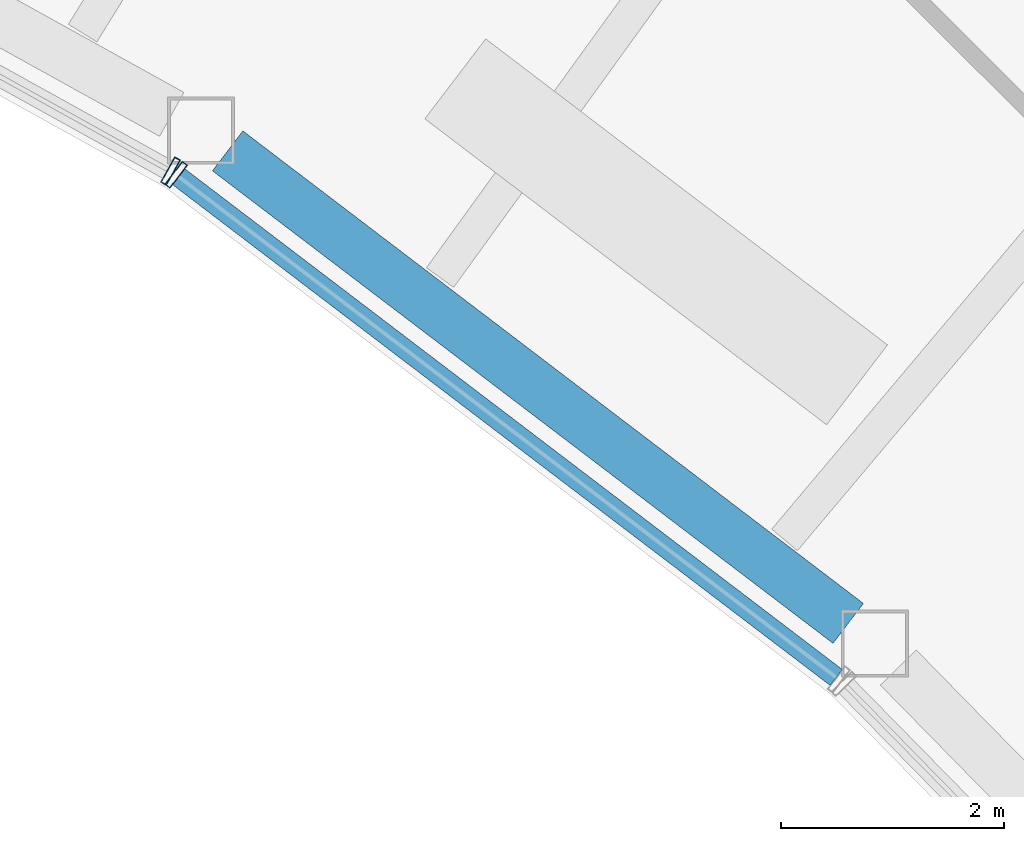
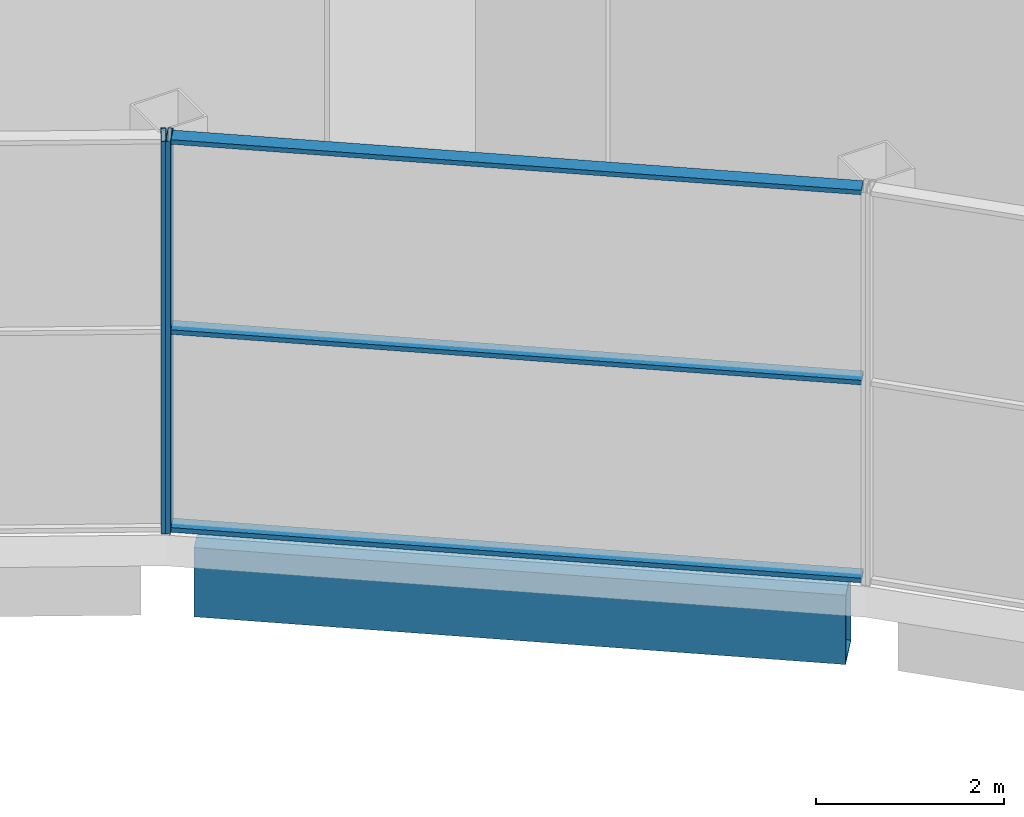
# One storey, part 19 of 43: 5 members, 1 beam, 2 elements without a shape of their own.
"""IFC4 building model written with IfcOpenShell, lengths in metres."""

import ifcopenshell
import ifcopenshell.guid

model = None  # the IFC model being written
_history = None  # IfcOwnerHistory: only IFC2X3 demands one
_inside = {}  # id of a spatial element -> (the spatial element, [elements in it])
_under = {}  # id of a project, library or spatial element -> (it, [spatial elements below it])
_declared = {}  # id of a project -> (the project, [libraries it declares])
_typed = {}  # id of a type object -> (the type object, [elements of that type])
_made_of = {}  # id of a material, layer set ... -> (it, [elements and type objects made of it])


def new_model(schema):
    """Start an empty IFC model of exactly this schema.

    Asked for "IFC4X3", IfcOpenShell would pick the latest addendum, in which some entities
    have other attributes; the version numbers below select the first issue.
    IFC2X3 requires an IfcOwnerHistory on every rooted entity: one is made here for all.
    """
    global model, _history
    if schema == "IFC4X3":
        model = ifcopenshell.file(schema_version=(4, 3, 0, 0))
    else:
        model = ifcopenshell.file(schema=schema)
    _inside.clear()
    _under.clear()
    _declared.clear()
    _typed.clear()
    _made_of.clear()
    _history = None
    if model.schema == "IFC2X3":
        org = make("IfcOrganization", Name="unknown")
        user = make(
            "IfcPersonAndOrganization",
            ThePerson=make("IfcPerson", FamilyName="unknown"),
            TheOrganization=org,
        )
        app = make(
            "IfcApplication",
            ApplicationDeveloper=org,
            Version="unknown",
            ApplicationFullName="unknown",
            ApplicationIdentifier="unknown",
        )
        _history = make(
            "IfcOwnerHistory",
            OwningUser=user,
            OwningApplication=app,
            ChangeAction="ADDED",
            CreationDate=0,
        )
    return model


def make(cls, **values):
    """One entity of the class cls with the attributes given. An attribute that is None is left unset."""
    return model.create_entity(
        cls, **{name: value for name, value in values.items() if value is not None}
    )


def rooted(cls, **values):
    """An entity with a GlobalId (a new one), such as an element, a storey or a relation."""
    return make(cls, GlobalId=ifcopenshell.guid.new(), OwnerHistory=_history, **values)


def si_unit(unit_type, name, prefix=None):
    """IfcSIUnit, for example si_unit("LENGTHUNIT", "METRE", prefix="MILLI")."""
    return make("IfcSIUnit", UnitType=unit_type, Prefix=prefix, Name=name)


def assignment(units):
    """IfcUnitAssignment: the units of a project."""
    return None if units is None else make("IfcUnitAssignment", Units=units)


def point(xyz):
    """IfcCartesianPoint."""
    return None if xyz is None else make("IfcCartesianPoint", Coordinates=xyz)


def direction(xyz):
    """IfcDirection."""
    return None if xyz is None else make("IfcDirection", DirectionRatios=xyz)


def frame(location, z_axis=None, x_axis=None):
    """IfcAxis2Placement3D, a coordinate frame: its origin and axes. An axis left out is left unset."""
    return make(
        "IfcAxis2Placement3D",
        Location=point(location),
        Axis=direction(z_axis),
        RefDirection=direction(x_axis),
    )


def frame_2d(location, x_axis=None):
    """IfcAxis2Placement2D, a coordinate frame in the plane: its origin and x axis."""
    return make(
        "IfcAxis2Placement2D", Location=point(location), RefDirection=direction(x_axis)
    )


def origin():
    """The frame at (0, 0, 0) with its axes left unset."""
    return frame((0.0, 0.0, 0.0))


def origin_2d():
    """The frame at (0, 0) in the plane with its x axis left unset."""
    return frame_2d((0.0, 0.0))


def place(relative_to, where):
    """IfcLocalPlacement: puts the frame where relative to a parent placement (None: the world)."""
    return make(
        "IfcLocalPlacement", PlacementRelTo=relative_to, RelativePlacement=where
    )


def context(
    kind, dimensions, precision=None, world=None, true_north=None, identifier=None
):
    """IfcGeometricRepresentationContext, for example the 3D "Model" context."""
    return make(
        "IfcGeometricRepresentationContext",
        ContextIdentifier=identifier,
        ContextType=kind,
        CoordinateSpaceDimension=dimensions,
        Precision=precision,
        WorldCoordinateSystem=world,
        TrueNorth=true_north,
    )


def subcontext(parent, identifier, kind, view, scale=None):
    """IfcGeometricRepresentationSubContext, for example "Body" below "Model"."""
    return make(
        "IfcGeometricRepresentationSubContext",
        ContextIdentifier=identifier,
        ContextType=kind,
        ParentContext=parent,
        TargetScale=scale,
        TargetView=view,
    )


def project(units=None, contexts=None):
    """IfcProject with its units and contexts."""
    return rooted(
        "IfcProject",
        Name="project",
        RepresentationContexts=contexts,
        UnitsInContext=assignment(units),
    )


def spatial(cls, under=None, at=None, **own):
    """A site, building, storey or space (cls), placed at a placement, below another one or the project."""
    s = rooted(cls, ObjectPlacement=at, **own)
    if under is not None:
        _under.setdefault(under.id(), (under, []))[1].append(s)
    return s


def profile(cls, at=None, kind="AREA", **sizes):
    """A parametric profile (cls). Its sizes go by their IFC names, for example OverallWidth=200.0."""
    return make(cls, ProfileType=kind, Position=at, **sizes)


def hollow_rectangle(**sizes):
    """IfcRectangleHollowProfileDef."""
    return profile("IfcRectangleHollowProfileDef", **sizes)


def extrude(swept, where, along, depth):
    """IfcExtrudedAreaSolid: the profile swept, set in the frame where, extruded along a direction by depth."""
    return make(
        "IfcExtrudedAreaSolid",
        SweptArea=swept,
        Position=where,
        ExtrudedDirection=direction(along),
        Depth=depth,
    )


def shape(context_of_items, identifier, shape_type, items):
    """IfcShapeRepresentation: the items that make up one representation, for example the "Body"."""
    return make(
        "IfcShapeRepresentation",
        ContextOfItems=context_of_items,
        RepresentationIdentifier=identifier,
        RepresentationType=shape_type,
        Items=items,
    )


def material(Name=None, Category=None):
    """IfcMaterial."""
    return make("IfcMaterial", Name=Name, Category=Category)


def layer(
    of_material, thickness, ventilated=None, Name=None, Category=None, Priority=None
):
    """IfcMaterialLayer: one layer of a wall or slab, of a material (None: an air gap)."""
    return make(
        "IfcMaterialLayer",
        Material=of_material,
        LayerThickness=thickness,
        IsVentilated=ventilated,
        Name=Name,
        Category=Category,
        Priority=Priority,
    )


def layer_set(layers, Name=None):
    """IfcMaterialLayerSet."""
    return make("IfcMaterialLayerSet", MaterialLayers=layers, LayerSetName=Name)


def material_profile(
    of_material, cross_section, Name=None, Category=None, Priority=None
):
    """IfcMaterialProfile: a cross section and its material."""
    return make(
        "IfcMaterialProfile",
        Name=Name,
        Material=of_material,
        Profile=cross_section,
        Priority=Priority,
        Category=Category,
    )


def profile_set(profiles, Name=None, composite=None):
    """IfcMaterialProfileSet."""
    return make(
        "IfcMaterialProfileSet",
        Name=Name,
        MaterialProfiles=profiles,
        CompositeProfile=composite,
    )


def made_of(thing, what):
    """Note that an element or type object is made of a material, layer set ...; save() writes the relation."""
    if what is not None:
        _made_of.setdefault(what.id(), (what, []))[1].append(thing)
    return thing


def type_object(cls, material=None, **own):
    """A type object (cls), such as IfcWallType, which elements share."""
    return made_of(rooted(cls, **own), material)


def element(
    cls,
    number,
    at=None,
    inside=None,
    cuts=None,
    type_object=None,
    material=None,
    context=None,
    identifier="Body",
    shape_type=None,
    held_by="IfcProductDefinitionShape",
    body=None,
    shapes=None,
    **own,
):
    """One element of the class cls, such as IfcWall. Its Tag is "e" and its number.

    at: its placement. inside: the storey or other place that contains it. cuts: it is an
    opening in that element (IfcRelVoidsElement). A single representation is given by context,
    identifier, shape_type and body (its items); several are given by shapes. held_by: the class
    of the entity that holds the representations. save() writes the other relations.
    """
    e = rooted(cls, Tag="e%d" % number, ObjectPlacement=at, **own)
    if body is not None:
        shapes = [shape(context, identifier, shape_type, body)]
    if shapes is not None:
        e.Representation = make(held_by, Representations=shapes)
    if inside is not None:
        _inside.setdefault(inside.id(), (inside, []))[1].append(e)
    if cuts is not None:
        rooted(
            "IfcRelVoidsElement", RelatingBuildingElement=cuts, RelatedOpeningElement=e
        )
    if type_object is not None:
        _typed.setdefault(type_object.id(), (type_object, []))[1].append(e)
    return made_of(e, material)


def aggregate(whole, parts):
    """IfcRelAggregates: a whole, such as a stair, and the parts it consists of."""
    return rooted("IfcRelAggregates", RelatingObject=whole, RelatedObjects=parts)


def save(model, path):
    """Write the relations noted so far, then the file.

    IfcRelAggregates (storeys below a building ...), IfcRelContainedInSpatialStructure (elements
    in a storey), IfcRelDefinesByType, IfcRelAssociatesMaterial and IfcRelDeclares: one each for
    every whole, place, type object, material and project.
    """
    for whole, parts in _under.values():
        aggregate(whole, parts)
    for where, things in _inside.values():
        rooted(
            "IfcRelContainedInSpatialStructure",
            RelatedElements=things,
            RelatingStructure=where,
        )
    for kind, things in _typed.values():
        rooted("IfcRelDefinesByType", RelatedObjects=things, RelatingType=kind)
    for what, things in _made_of.values():
        rooted("IfcRelAssociatesMaterial", RelatedObjects=things, RelatingMaterial=what)
    for by, libraries in _declared.values():
        rooted("IfcRelDeclares", RelatingContext=by, RelatedDefinitions=libraries)
    model.write(path)


model = new_model("IFC4")

# Units and contexts
model_context = context("Model", 3, precision=1e-05, world=origin(), true_north=direction((0.0, 1.0)))
body_context = subcontext(model_context, "Body", "Model", "MODEL_VIEW")
ifc_project = project(units=[si_unit("LENGTHUNIT", "METRE"), si_unit("AREAUNIT", "SQUARE_METRE"), si_unit("VOLUMEUNIT", "CUBIC_METRE"), si_unit("PLANEANGLEUNIT", "RADIAN"), si_unit("MASSUNIT", "GRAM", prefix="KILO")], contexts=[model_context])

# Site, building, storey
site_placement = place(None, origin())
site = spatial("IfcSite", under=ifc_project, at=site_placement, CompositionType="ELEMENT")
building_placement = place(site_placement, origin())
building = spatial("IfcBuilding", under=site, at=building_placement, Name="Tuul Gate Civic Tower", CompositionType="ELEMENT")
storey_placement = place(building_placement, frame((0.0, 0.0, 349.10009765625)))
storey = spatial("IfcBuildingStorey", under=building, at=storey_placement, Name="Observation level 1", CompositionType="ELEMENT", Elevation=349.10009765625)

# Curtain wall, member
ifc_material_1 = material(Name="Stainless steel", Category="steel")
ifc_layer = layer(ifc_material_1, 0.199951171875)
ifc_layer_set = layer_set([ifc_layer], Name="Stainless steel")
curtain_wall_type = type_object("IfcCurtainWallType", Name="Curtain wall CW4", PredefinedType="NOTDEFINED", material=ifc_layer_set)
curtain_wall_1_placement = place(storey_placement, origin())
curtain_wall_1 = element("IfcCurtainWall", 1, at=curtain_wall_1_placement, inside=storey, type_object=curtain_wall_type, Name="Curtain wall CW4", PredefinedType="NOTDEFINED")
ifc_material_2 = material(Name="Stainless steel", Category="steel")
ifc_material_profile_1 = material_profile(ifc_material_2, hollow_rectangle(XDim=0.260009765625, YDim=0.06005859375, WallThickness=0.006103515625, at=origin_2d()), Name="CW4 mullion")
ifc_profile_set_1 = profile_set([ifc_material_profile_1], Name="Stainless steel")
member_type_1 = type_object("IfcMemberType", Name="CW4 mullion", PredefinedType="MULLION", material=ifc_profile_set_1)
member_1_placement = place(storey_placement, frame((30.645751953125, -16.439453125, 0.0), z_axis=(0.0, 0.0, 1.0), x_axis=(0.48480794476, 0.874620635875, 0.0)))
member_1 = element("IfcMember", 2, at=member_1_placement, type_object=member_type_1, Name="Mullion", PredefinedType="MULLION", context=body_context, shape_type="SweptSolid", body=[
    extrude(hollow_rectangle(XDim=0.260009765625, YDim=0.06005859375, WallThickness=0.006103515625, at=origin_2d()), origin(), (0.0, 0.0, 1.0), 5.099853515625),
])
aggregate(curtain_wall_1, [member_1])

# Curtain wall, members
curtain_wall_2_placement = place(storey_placement, origin())
curtain_wall_2 = element("IfcCurtainWall", 3, at=curtain_wall_2_placement, inside=storey, type_object=curtain_wall_type, Name="Curtain wall CW4", PredefinedType="NOTDEFINED")
member_2_placement = place(storey_placement, frame((30.69580078125, -16.47216796875, 0.0), z_axis=(0.0, 0.0, 1.0), x_axis=(0.605851052715, 0.795578092914, 0.0)))
member_2 = element("IfcMember", 4, at=member_2_placement, type_object=member_type_1, Name="Mullion", PredefinedType="MULLION", context=body_context, shape_type="SweptSolid", body=[
    extrude(hollow_rectangle(XDim=0.260009765625, YDim=0.06005859375, WallThickness=0.006103515625, at=origin_2d()), origin(), (0.0, 0.0, 1.0), 5.099853515625),
])
ifc_material_3 = material(Name="Stainless steel", Category="steel")
ifc_material_profile_2 = material_profile(ifc_material_3, hollow_rectangle(XDim=0.179931640625, YDim=0.06005859375, WallThickness=0.006103515625, at=origin_2d()), Name="CW4 transom")
ifc_profile_set_2 = profile_set([ifc_material_profile_2], Name="Stainless steel")
member_type_2 = type_object("IfcMemberType", Name="CW4 transom", PredefinedType="USERDEFINED", material=ifc_profile_set_2)
member_3_placement = place(storey_placement, frame((30.7197265625, -16.490234375, 0.02978515625), z_axis=(0.795580003279, -0.605848544095, 0.0), x_axis=(0.605848544095, 0.795580003279, 0.0)))
member_3 = element("IfcMember", 5, at=member_3_placement, type_object=member_type_2, Name="Transom", ObjectType="TRANSOM", PredefinedType="USERDEFINED", context=body_context, shape_type="SweptSolid", body=[
    extrude(hollow_rectangle(XDim=0.179931640625, YDim=0.06005859375, WallThickness=0.006103515625, at=origin_2d()), origin(), (0.0, 0.0, 1.0), 7.40673828125),
])
member_4_placement = place(storey_placement, frame((30.7197265625, -16.490234375, 2.599853515625), z_axis=(0.795580003279, -0.605848544095, 0.0), x_axis=(0.605848544095, 0.795580003279, 0.0)))
member_4 = element("IfcMember", 6, at=member_4_placement, type_object=member_type_2, Name="Transom", ObjectType="TRANSOM", PredefinedType="USERDEFINED", context=body_context, shape_type="SweptSolid", body=[
    extrude(hollow_rectangle(XDim=0.179931640625, YDim=0.06005859375, WallThickness=0.006103515625, at=origin_2d()), origin(), (0.0, 0.0, 1.0), 7.40673828125),
])
member_5_placement = place(storey_placement, frame((30.7197265625, -16.490234375, 5.06982421875), z_axis=(0.795580003279, -0.605848544095, 0.0), x_axis=(0.605848544095, 0.795580003279, 0.0)))
member_5 = element("IfcMember", 7, at=member_5_placement, type_object=member_type_2, Name="Transom", ObjectType="TRANSOM", PredefinedType="USERDEFINED", context=body_context, shape_type="SweptSolid", body=[
    extrude(hollow_rectangle(XDim=0.179931640625, YDim=0.06005859375, WallThickness=0.006103515625, at=origin_2d()), origin(), (0.0, 0.0, 1.0), 7.40673828125),
])
aggregate(curtain_wall_2, [member_2, member_3, member_4, member_5])

# Beam
ifc_material_4 = material(Name="Steel S355", Category="steel")
ifc_material_profile_3 = material_profile(ifc_material_4, hollow_rectangle(XDim=0.449951171875, YDim=0.89990234375, WallThickness=0.02490234375, at=origin_2d()), Name="BOX900x450x25")
ifc_profile_set_3 = profile_set([ifc_material_profile_3], Name="Steel S355")
beam_type = type_object("IfcBeamType", Name="STR-SPANDREL BEAM-BOX900x450x25", PredefinedType="BEAM", material=ifc_profile_set_3)
beam_placement = place(storey_placement, frame((31.15771484375, -16.2578125, -0.85009765625), z_axis=(0.795620861355, -0.605794886885, 0.0), x_axis=(0.605794886885, 0.795620861355, 0.0)))
element("IfcBeam", 8, at=beam_placement, inside=storey, type_object=beam_type, Name="Spandrel beam", PredefinedType="BEAM", context=body_context, shape_type="SweptSolid", body=[
    extrude(hollow_rectangle(XDim=0.449951171875, YDim=0.89990234375, WallThickness=0.02490234375, at=origin_2d()), origin(), (0.0, 0.0, 1.0), 6.991455078125),
])

save(model, "model.ifc")
